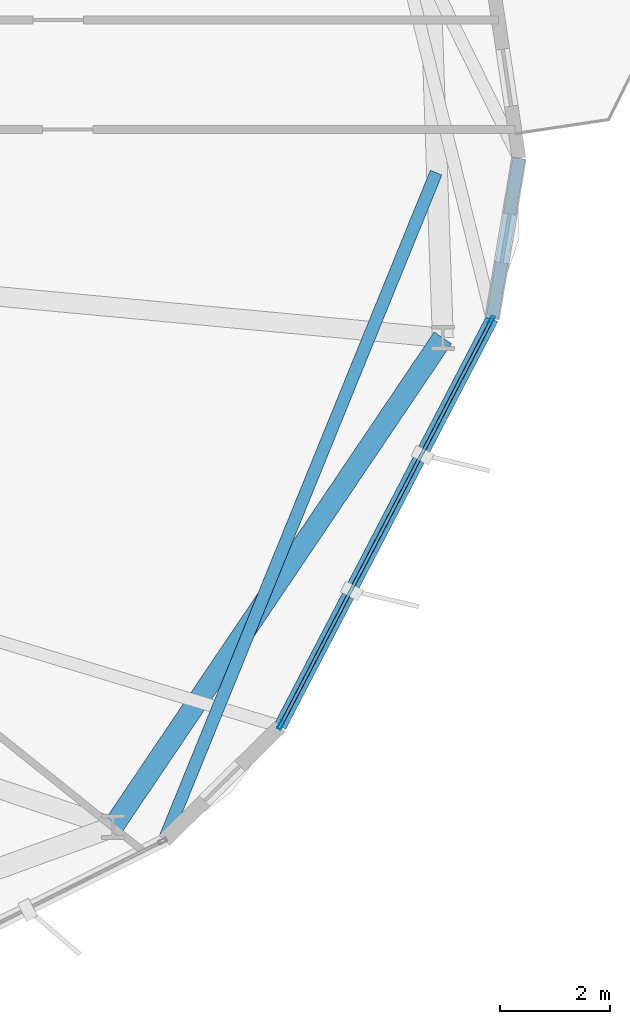
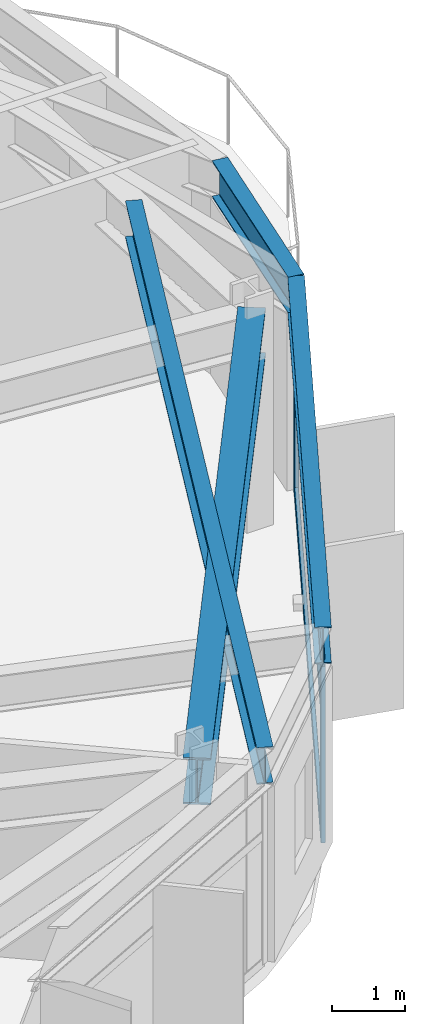
# One storey, part 9 of 22: 5 members, 4 beams, 1 element without a shape of its own.
"""IFC4 building model written with IfcOpenShell, lengths in metres."""

from ifc_helpers import new_model, si_unit, direction, frame, origin, origin_2d, place, context, subcontext, project, spatial, hollow_rectangle, i_section, extrude, material, layer, layer_set, material_profile, profile_set, type_object, element, aggregate, save


model = new_model("IFC4")

# Units and contexts
model_context = context("Model", 3, precision=1e-05, world=origin(), true_north=direction((0.0, 1.0)))
body_context = subcontext(model_context, "Body", "Model", "MODEL_VIEW")
ifc_project = project(units=[si_unit("LENGTHUNIT", "METRE"), si_unit("AREAUNIT", "SQUARE_METRE"), si_unit("VOLUMEUNIT", "CUBIC_METRE"), si_unit("PLANEANGLEUNIT", "RADIAN"), si_unit("MASSUNIT", "GRAM", prefix="KILO")], contexts=[model_context])

# Site, building, storey
site_placement = place(None, origin())
site = spatial("IfcSite", under=ifc_project, at=site_placement, CompositionType="ELEMENT")
building_placement = place(site_placement, origin())
building = spatial("IfcBuilding", under=site, at=building_placement, Name="Soratama Intermodal Tower", CompositionType="ELEMENT")
storey_placement = place(building_placement, frame((0.0, 0.0, 130.300048828125)))
storey = spatial("IfcBuildingStorey", under=building, at=storey_placement, Name="L31", CompositionType="ELEMENT", Elevation=130.300048828125)

# Beams
ifc_material_1 = material(Name="Structural steel ASTM A992 Grade 50", Category="steel")
ifc_material_profile_1 = material_profile(ifc_material_1, i_section(OverallWidth=0.382080078125, OverallDepth=0.779052734375, WebThickness=0.01806640625, FlangeThickness=0.030029296875, FilletRadius=0.01806640625, at=origin_2d()), Name="W30X191")
ifc_profile_set_1 = profile_set([ifc_material_profile_1], Name="Structural steel ASTM A992 Grade 50")
beam_type_1 = type_object("IfcBeamType", Name="BM-RING-W30X191", PredefinedType="BEAM", material=ifc_profile_set_1)
beam_1_placement = place(storey_placement, frame((55.7119140625, 11.2890625, 3.17041015625), z_axis=(0.559249807749, 0.828999187293, 0.0), x_axis=(-0.828999187293, 0.559249807749, 0.0)))
element("IfcBeam", 1, at=beam_1_placement, inside=storey, type_object=beam_type_1, Name="BM-L31-RING-09", PredefinedType="BEAM", context=body_context, shape_type="SweptSolid", body=[
    extrude(i_section(OverallWidth=0.382080078125, OverallDepth=0.779052734375, WebThickness=0.01806640625, FlangeThickness=0.030029296875, FilletRadius=0.01806640625, at=origin_2d()), origin(), (0.0, 0.0, 1.0), 10.75390625),
])
ifc_material_2 = material(Name="Structural steel ASTM A992 Grade 50", Category="steel")
ifc_material_profile_2 = material_profile(ifc_material_2, i_section(OverallWidth=0.22900390625, OverallDepth=0.612060546875, WebThickness=0.011962890625, FlangeThickness=0.01953125, FilletRadius=0.012939453125, at=origin_2d()), Name="W24X84")
ifc_profile_set_2 = profile_set([ifc_material_profile_2], Name="Structural steel ASTM A992 Grade 50")
beam_type_2 = type_object("IfcBeamType", Name="BM-SPN-W24X84", PredefinedType="SPANDREL", material=ifc_profile_set_2)
beam_2_placement = place(storey_placement, frame((58.760986328125, 13.1220703125, 3.25390625), z_axis=(0.461439003173, 0.88717193731, 0.0), x_axis=(-0.88717193731, 0.461439003173, 0.0)))
element("IfcBeam", 2, at=beam_2_placement, inside=storey, type_object=beam_type_2, Name="BS-L31-F09", PredefinedType="SPANDREL", context=body_context, shape_type="SweptSolid", body=[
    extrude(i_section(OverallWidth=0.22900390625, OverallDepth=0.612060546875, WebThickness=0.011962890625, FlangeThickness=0.01953125, FilletRadius=0.012939453125, at=origin_2d()), origin(), (0.0, 0.0, 1.0), 8.3759765625),
])
beam_3_placement = place(storey_placement, frame((62.6259765625, 20.552978515625, 3.25390625), z_axis=(0.164839367011, 0.986320426172, 0.0), x_axis=(-0.986320426172, 0.164839367011, 0.0)))
element("IfcBeam", 3, at=beam_3_placement, inside=storey, type_object=beam_type_2, Name="BS-L31-CRN09", PredefinedType="SPANDREL", context=body_context, shape_type="SweptSolid", body=[
    extrude(i_section(OverallWidth=0.22900390625, OverallDepth=0.612060546875, WebThickness=0.011962890625, FlangeThickness=0.01953125, FilletRadius=0.012939453125, at=origin_2d()), origin(), (0.0, 0.0, 1.0), 2.966552734375),
])
ifc_material_3 = material(Name="Structural steel ASTM A992 Grade 50", Category="steel")
ifc_material_profile_3 = material_profile(ifc_material_3, i_section(OverallWidth=0.22900390625, OverallDepth=0.612060546875, WebThickness=0.011962890625, FlangeThickness=0.01953125, FilletRadius=0.012939453125, at=origin_2d()), Name="W24X84")
ifc_profile_set_3 = profile_set([ifc_material_profile_3], Name="Structural steel ASTM A992 Grade 50")
beam_type_3 = type_object("IfcBeamType", Name="BM-TIE-W24X84", PredefinedType="BEAM", material=ifc_profile_set_3)
beam_4_placement = place(storey_placement, frame((61.60400390625, 23.216064453125, 3.25390625), z_axis=(-0.377179481383, -0.926140183138, 0.0), x_axis=(0.926140183138, -0.377179481383, 0.0)))
element("IfcBeam", 4, at=beam_4_placement, inside=storey, type_object=beam_type_3, Name="BM-L31-TIE1-08", PredefinedType="BEAM", context=body_context, shape_type="SweptSolid", body=[
    extrude(i_section(OverallWidth=0.22900390625, OverallDepth=0.612060546875, WebThickness=0.011962890625, FlangeThickness=0.01953125, FilletRadius=0.012939453125, at=origin_2d()), origin(), (0.0, 0.0, 1.0), 13.14501953125),
])

# Curtain wall, members
ifc_material_4 = material(Name="Double-glazed aluminium curtain wall", Category="aluminium")
ifc_layer = layer(ifc_material_4, 0.159912109375)
ifc_layer_set = layer_set([ifc_layer], Name="Double-glazed aluminium curtain wall")
curtain_wall_type = type_object("IfcCurtainWallType", Name="CW-SYS-3", PredefinedType="NOTDEFINED", material=ifc_layer_set)
curtain_wall_placement = place(storey_placement, origin())
curtain_wall = element("IfcCurtainWall", 5, at=curtain_wall_placement, inside=storey, type_object=curtain_wall_type, Name="L31 Faceted Curtain Wall F09", PredefinedType="NOTDEFINED")
ifc_material_5 = material(Name="Anodised aluminium AA 6063-T6", Category="aluminium")
ifc_material_profile_4 = material_profile(ifc_material_5, hollow_rectangle(XDim=0.070068359375, YDim=0.159912109375, WallThickness=0.0048828125, InnerFilletRadius=0.0048828125, OuterFilletRadius=0.010009765625, at=origin_2d()), Name="CWM160X70X5")
ifc_profile_set_4 = profile_set([ifc_material_profile_4], Name="Anodised aluminium AA 6063-T6")
member_type_1 = type_object("IfcMemberType", Name="MT-CWM-3", PredefinedType="MULLION", material=ifc_profile_set_4)
member_1_placement = place(storey_placement, frame((58.775146484375, 13.148193359375, 0.0), z_axis=(0.0, 0.0, 1.0), x_axis=(-0.887173990215, 0.461435056194, 0.0)))
member_1 = element("IfcMember", 6, at=member_1_placement, type_object=member_type_1, Name="CW-3 mullion 1", PredefinedType="MULLION", context=body_context, shape_type="SweptSolid", body=[
    extrude(hollow_rectangle(XDim=0.070068359375, YDim=0.159912109375, WallThickness=0.0048828125, InnerFilletRadius=0.0048828125, OuterFilletRadius=0.010009765625, at=origin_2d()), origin(), (0.0, 0.0, 1.0), 2.93896484375),
])
member_2_placement = place(storey_placement, frame((62.612548828125, 20.5263671875, 0.0), z_axis=(0.0, 0.0, 1.0), x_axis=(-0.887173990215, 0.461435056194, 0.0)))
member_2 = element("IfcMember", 7, at=member_2_placement, type_object=member_type_1, Name="CW-3 mullion 2", PredefinedType="MULLION", context=body_context, shape_type="SweptSolid", body=[
    extrude(hollow_rectangle(XDim=0.070068359375, YDim=0.159912109375, WallThickness=0.0048828125, InnerFilletRadius=0.0048828125, OuterFilletRadius=0.010009765625, at=origin_2d()), origin(), (0.0, 0.0, 1.0), 2.93896484375),
])
ifc_material_6 = material(Name="Anodised aluminium AA 6063-T6", Category="aluminium")
ifc_material_profile_5 = material_profile(ifc_material_6, hollow_rectangle(XDim=0.06494140625, YDim=0.14990234375, WallThickness=0.0048828125, InnerFilletRadius=0.0048828125, OuterFilletRadius=0.010009765625, at=origin_2d()), Name="CWT150X65X5")
ifc_profile_set_5 = profile_set([ifc_material_profile_5], Name="Anodised aluminium AA 6063-T6")
member_type_2 = type_object("IfcMemberType", Name="TT-CWT-1", PredefinedType="USERDEFINED", material=ifc_profile_set_5)
member_3_placement = place(storey_placement, frame((58.788818359375, 13.175048828125, 0.030029296875), z_axis=(0.461444908651, 0.887168865707, 0.0), x_axis=(-0.887168865707, 0.461444908651, 0.0)))
member_3 = element("IfcMember", 8, at=member_3_placement, type_object=member_type_2, Name="CW-3 transom 1.1", ObjectType="TRANSOM", PredefinedType="USERDEFINED", context=body_context, shape_type="SweptSolid", body=[
    extrude(hollow_rectangle(XDim=0.06494140625, YDim=0.14990234375, WallThickness=0.0048828125, InnerFilletRadius=0.0048828125, OuterFilletRadius=0.010009765625, at=origin_2d()), origin(), (0.0, 0.0, 1.0), 8.25634765625),
])
member_4_placement = place(storey_placement, frame((58.788818359375, 13.175048828125, 2.14990234375), z_axis=(0.461444908651, 0.887168865707, 0.0), x_axis=(-0.887168865707, 0.461444908651, 0.0)))
member_4 = element("IfcMember", 9, at=member_4_placement, type_object=member_type_2, Name="CW-3 transom 1.2", ObjectType="TRANSOM", PredefinedType="USERDEFINED", context=body_context, shape_type="SweptSolid", body=[
    extrude(hollow_rectangle(XDim=0.06494140625, YDim=0.14990234375, WallThickness=0.0048828125, InnerFilletRadius=0.0048828125, OuterFilletRadius=0.010009765625, at=origin_2d()), origin(), (0.0, 0.0, 1.0), 8.25634765625),
])
member_5_placement = place(storey_placement, frame((58.788818359375, 13.175048828125, 2.908935546875), z_axis=(0.461444908651, 0.887168865707, 0.0), x_axis=(-0.887168865707, 0.461444908651, 0.0)))
member_5 = element("IfcMember", 10, at=member_5_placement, type_object=member_type_2, Name="CW-3 transom 1.3", ObjectType="TRANSOM", PredefinedType="USERDEFINED", context=body_context, shape_type="SweptSolid", body=[
    extrude(hollow_rectangle(XDim=0.06494140625, YDim=0.14990234375, WallThickness=0.0048828125, InnerFilletRadius=0.0048828125, OuterFilletRadius=0.010009765625, at=origin_2d()), origin(), (0.0, 0.0, 1.0), 8.25634765625),
])
aggregate(curtain_wall, [member_1, member_2, member_3, member_4, member_5])

save(model, "model.ifc")
